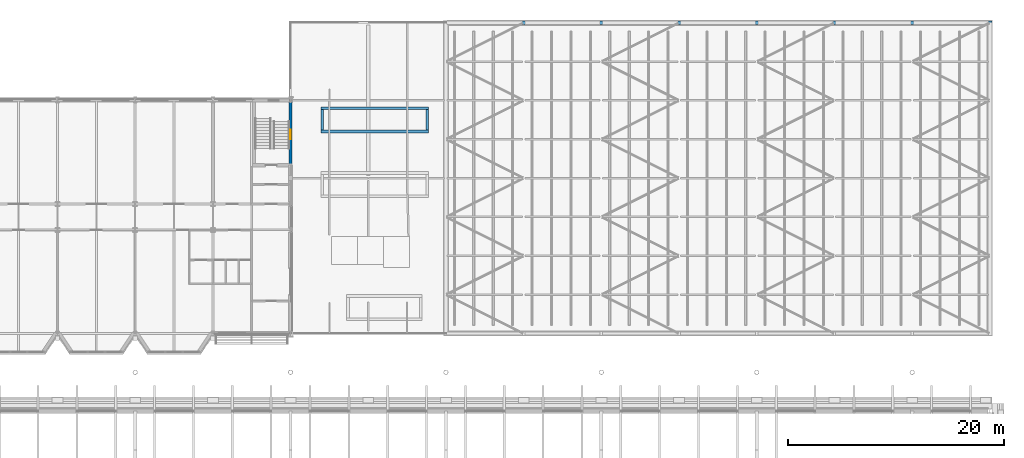
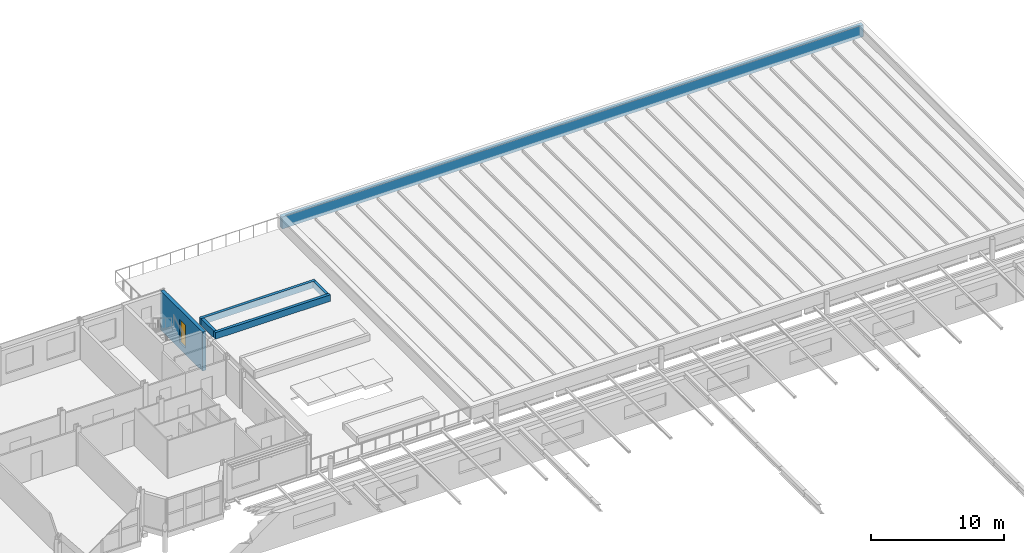
# One storey, part 47 of 110: 6 walls, 1 window, 1 opening.
"""IFC4 building model written with IfcOpenShell, lengths in metres."""

from ifc_helpers import new_model, si_unit, direction, frame, frame_2d, origin, place, context, subcontext, project, spatial, rectangle, extrude, material, layer, layer_set, type_object, element, fill, save


model = new_model("IFC4")

# Units and contexts
model_context = context("Model", 3, precision=1e-05, world=origin(), true_north=direction((0.0, 1.0)))
body_context = subcontext(model_context, "Body", "Model", "MODEL_VIEW")
ifc_project = project(units=[si_unit("LENGTHUNIT", "METRE"), si_unit("AREAUNIT", "SQUARE_METRE"), si_unit("VOLUMEUNIT", "CUBIC_METRE"), si_unit("PLANEANGLEUNIT", "RADIAN"), si_unit("MASSUNIT", "GRAM", prefix="KILO")], contexts=[model_context])

# Site, building, storey
site_placement = place(None, origin())
site = spatial("IfcSite", under=ifc_project, at=site_placement, CompositionType="ELEMENT")
building_placement = place(site_placement, origin())
building = spatial("IfcBuilding", under=site, at=building_placement, Name="Kupolbacken Congress Centre", CompositionType="ELEMENT")
storey_placement = place(building_placement, frame((0.0, 0.0, 18.0)))
storey = spatial("IfcBuildingStorey", under=building, at=storey_placement, Name="L05", CompositionType="ELEMENT", Elevation=18.0)

# Walls
ifc_material_1 = material(Name="Concrete C30/37", Category="concrete")
ifc_layer_1 = layer(ifc_material_1, 0.25)
ifc_layer_set_1 = layer_set([ifc_layer_1], Name="Concrete C30/37")
wall_type_1 = type_object("IfcWallType", Name="PT1 planter wall 250", PredefinedType="SOLIDWALL", material=ifc_layer_set_1)
wall_1_placement = place(storey_placement, frame((139.60009765625, 141.125, 0.0), z_axis=(0.0, 0.0, 1.0), x_axis=(1.0, 0.0, 0.0)))
element("IfcWall", 1, at=wall_1_placement, inside=storey, type_object=wall_type_1, Name="Planter wall", PredefinedType="SOLIDWALL", context=body_context, shape_type="SweptSolid", body=[
    extrude(rectangle(XDim=10.0, YDim=0.25, at=frame_2d((5.0, 0.0))), origin(), (0.0, 0.0, 1.0), 0.60009765625),
])
wall_2_placement = place(storey_placement, frame((149.47509765625, 141.25, 0.0), z_axis=(0.0, 0.0, 1.0), x_axis=(0.0, 1.0, 0.0)))
element("IfcWall", 2, at=wall_2_placement, inside=storey, type_object=wall_type_1, Name="Planter wall", PredefinedType="SOLIDWALL", context=body_context, shape_type="SweptSolid", body=[
    extrude(rectangle(XDim=1.89990234375, YDim=0.25, at=frame_2d((0.949951171875, 0.0))), origin(), (0.0, 0.0, 1.0), 0.60009765625),
])
wall_3_placement = place(storey_placement, frame((149.60009765625, 143.27490234375, 0.0), z_axis=(0.0, 0.0, 1.0), x_axis=(-1.0, 0.0, 0.0)))
element("IfcWall", 3, at=wall_3_placement, inside=storey, type_object=wall_type_1, Name="Planter wall", PredefinedType="SOLIDWALL", context=body_context, shape_type="SweptSolid", body=[
    extrude(rectangle(XDim=10.0, YDim=0.25, at=frame_2d((5.0, 0.0))), origin(), (0.0, 0.0, 1.0), 0.60009765625),
])
wall_4_placement = place(storey_placement, frame((139.72509765625, 143.14990234375, 0.0), z_axis=(0.0, 0.0, 1.0), x_axis=(0.0, -1.0, 0.0)))
element("IfcWall", 4, at=wall_4_placement, inside=storey, type_object=wall_type_1, Name="Planter wall", PredefinedType="SOLIDWALL", context=body_context, shape_type="SweptSolid", body=[
    extrude(rectangle(XDim=1.89990234375, YDim=0.25, at=frame_2d((0.949951171875, 0.0))), origin(), (0.0, 0.0, 1.0), 0.60009765625),
])
ifc_material_2 = material(Name="Brick", Category="masonry")
ifc_layer_2 = layer(ifc_material_2, 0.10791015625)
ifc_material_3 = material(Name="Concrete block", Category="masonry")
ifc_layer_3 = layer(ifc_material_3, 0.251953125)
ifc_layer_set_2 = layer_set([ifc_layer_2, ifc_layer_3], Name="Brick / Concrete block")
wall_type_2 = type_object("IfcWallType", Name="PW4 parapet 360", PredefinedType="PARAPET", material=ifc_layer_set_2)
wall_5_placement = place(storey_placement, frame((201.780029296875, 151.199951171875, 0.0), z_axis=(0.0, 0.0, 1.0), x_axis=(-1.0, 0.0, 0.0)))
element("IfcWall", 5, at=wall_5_placement, inside=storey, type_object=wall_type_2, Name="E/roof/ballroom/03", PredefinedType="PARAPET", context=body_context, shape_type="SweptSolid", body=[
    extrude(rectangle(XDim=50.580078125, YDim=0.360107421875, at=frame_2d((25.2900390625, 0.0))), origin(), (0.0, 0.0, 1.0), 1.10009765625),
])

# Wall, opening, window
ifc_material_4 = material(Name="Concrete C40/50", Category="concrete")
ifc_layer_4 = layer(ifc_material_4, 0.300048828125)
ifc_layer_set_3 = layer_set([ifc_layer_4], Name="Concrete C40/50")
wall_type_3 = type_object("IfcWallType", Name="WC3 RC core wall 300", PredefinedType="SHEAR", material=ifc_layer_set_3)
wall_6_placement = place(storey_placement, frame((136.800048828125, 137.85009765625, 0.0), z_axis=(0.0, 0.0, 1.0), x_axis=(0.0, 1.0, 0.0)))
wall_6 = element("IfcWall", 6, at=wall_6_placement, inside=storey, type_object=wall_type_3, Name="Core wall L05-123", PredefinedType="SHEAR", context=body_context, shape_type="SweptSolid", body=[
    extrude(rectangle(XDim=6.2998046875, YDim=0.300048828125, at=frame_2d((3.14990234375, 0.0))), origin(), (0.0, 0.0, 1.0), 3.60009765625),
])
opening_placement = place(wall_6_placement, frame((2.550048828125, 0.0, 0.60009765625)))
opening = element("IfcOpeningElement", 7, at=opening_placement, cuts=wall_6, Name="Opening W28", PredefinedType="OPENING", context=body_context, shape_type="SweptSolid", body=[
    extrude(rectangle(XDim=0.89990234375, YDim=2.10009765625, at=frame_2d((0.449951171875, 1.050048828125))), frame((0.0, 0.159912109375, 0.0), z_axis=(0.0, -1.0, 0.0), x_axis=(1.0, 0.0, 0.0)), (0.0, 0.0, 1.0), 0.320068359375),
])
ifc_material_5 = material(Name="Aluminium frame with double or triple glazing", Category="aluminium")
window_type = type_object("IfcWindowType", Name="W28 window 900x2100", PartitioningType="SINGLE_PANEL", PredefinedType="WINDOW", material=ifc_material_5)
window_placement = place(opening_placement, origin())
window = element("IfcWindow", 8, at=window_placement, inside=storey, type_object=window_type, Name="S/core/L05/123/WW28", OverallHeight=2.10009765625, OverallWidth=0.89990234375, PartitioningType="SINGLE_PANEL", PredefinedType="WINDOW", context=body_context, shape_type="SweptSolid", body=[
    extrude(rectangle(XDim=0.89990234375, YDim=2.10009765625, at=frame_2d((0.449951171875, 1.050048828125))), frame((0.0, 0.030029296875, 0.0), z_axis=(0.0, -1.0, 0.0), x_axis=(1.0, 0.0, 0.0)), (0.0, 0.0, 1.0), 0.06005859375),
])
fill(opening, window)

save(model, "model.ifc")
